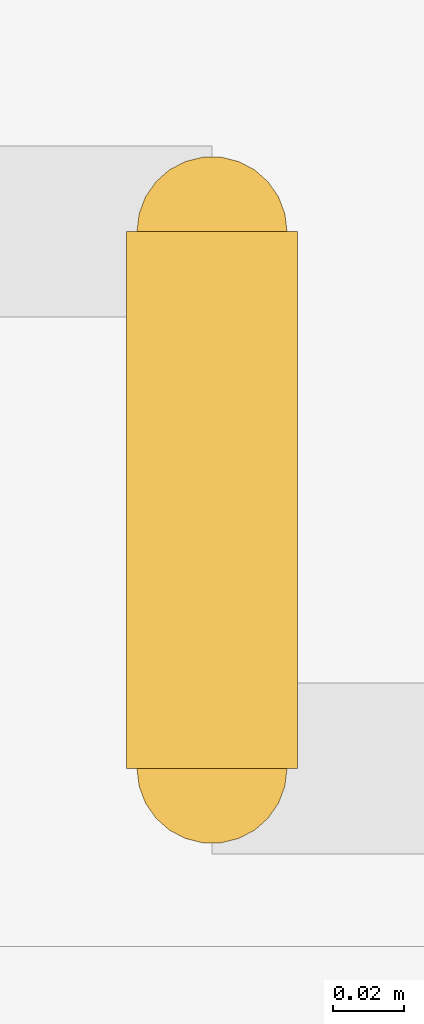
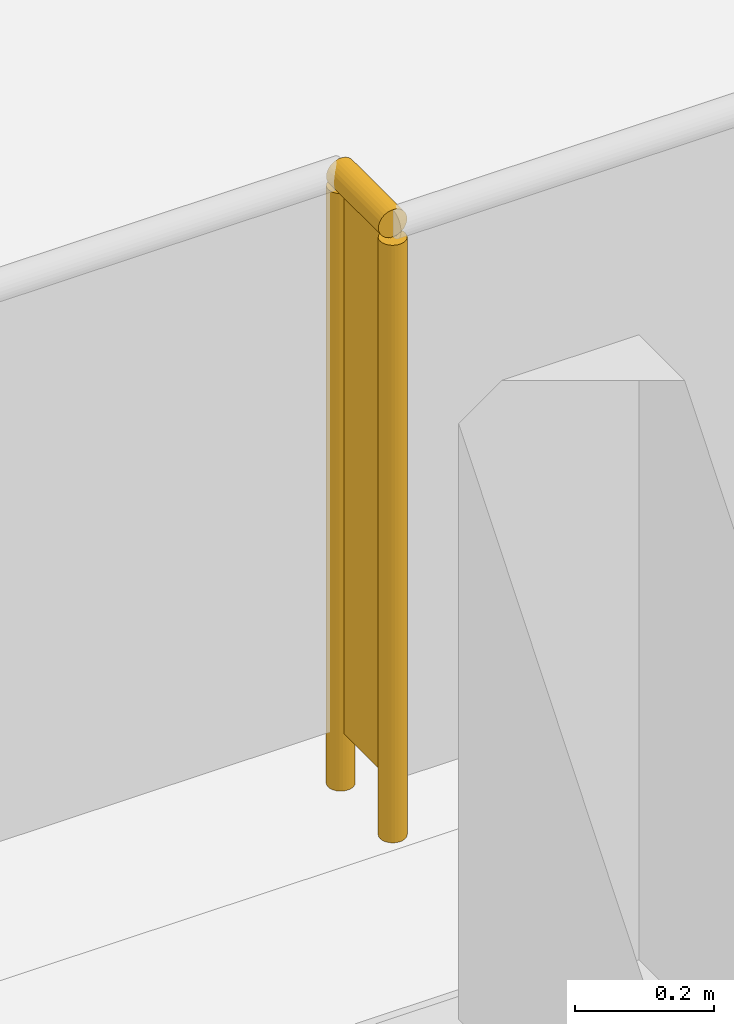
# One storey, part 10 of 12: 1 railing.
"""IFC4 building model written with IfcOpenShell, lengths in metres."""

from ifc_helpers import new_model, si_unit, direction, frame, origin, origin_2d, place, context, subcontext, project, spatial, rectangle, circle, extrude, material, type_object, element, save


model = new_model("IFC4")

# Units and contexts
model_context = context("Model", 3, precision=1e-05, world=origin(), true_north=direction((0.0, 1.0)))
body_context = subcontext(model_context, "Body", "Model", "MODEL_VIEW")
ifc_project = project(units=[si_unit("LENGTHUNIT", "METRE"), si_unit("AREAUNIT", "SQUARE_METRE"), si_unit("VOLUMEUNIT", "CUBIC_METRE"), si_unit("PLANEANGLEUNIT", "RADIAN"), si_unit("MASSUNIT", "GRAM", prefix="KILO")], contexts=[model_context])

# Site, building, storey
site_placement = place(None, origin())
site = spatial("IfcSite", under=ifc_project, at=site_placement, CompositionType="ELEMENT")
building_placement = place(site_placement, origin())
building = spatial("IfcBuilding", under=site, at=building_placement, Name="Dilmun Exchange Tower", CompositionType="ELEMENT")
storey_placement = place(building_placement, frame((0.0, 0.0, 18.0)))
storey = spatial("IfcBuildingStorey", under=building, at=storey_placement, Name="L04", CompositionType="ELEMENT", Elevation=18.0)

# Railing
ifc_material = material(Name="Stainless steel", Category="steel")
railing_type = type_object("IfcRailingType", Name="Terrace guard 1100 stainless steel", PredefinedType="GUARDRAIL", material=ifc_material)
railing_placement = place(storey_placement, frame((3.782958984375, -35.699951171875, 0.0)))
element("IfcRailing", 1, at=railing_placement, inside=storey, type_object=railing_type, Name="Podium terrace guard 2", PredefinedType="GUARDRAIL", context=body_context, shape_type="SweptSolid", body=[
    extrude(circle(Radius=0.02392578125, at=origin_2d()), frame((0.0, 0.0, 1.076171875), z_axis=(0.0, -1.0, 0.0), x_axis=(1.0, 0.0, 0.0)), (0.0, 0.0, 1.0), 0.150146484375),
    extrude(rectangle(XDim=0.011962890625, YDim=0.951904296875, at=origin_2d()), frame((0.0, 0.0, 0.576171875), z_axis=(0.0, -1.0, 0.0), x_axis=(1.0, 0.0, 0.0)), (0.0, 0.0, 1.0), 0.150146484375),
    extrude(circle(Radius=0.02099609375, at=origin_2d()), origin(), (0.0, 0.0, 1.0), 1.052001953125),
    extrude(circle(Radius=0.02099609375, at=origin_2d()), frame((0.0, -0.150146484375, 0.0)), (0.0, 0.0, 1.0), 1.052001953125),
])

save(model, "model.ifc")
